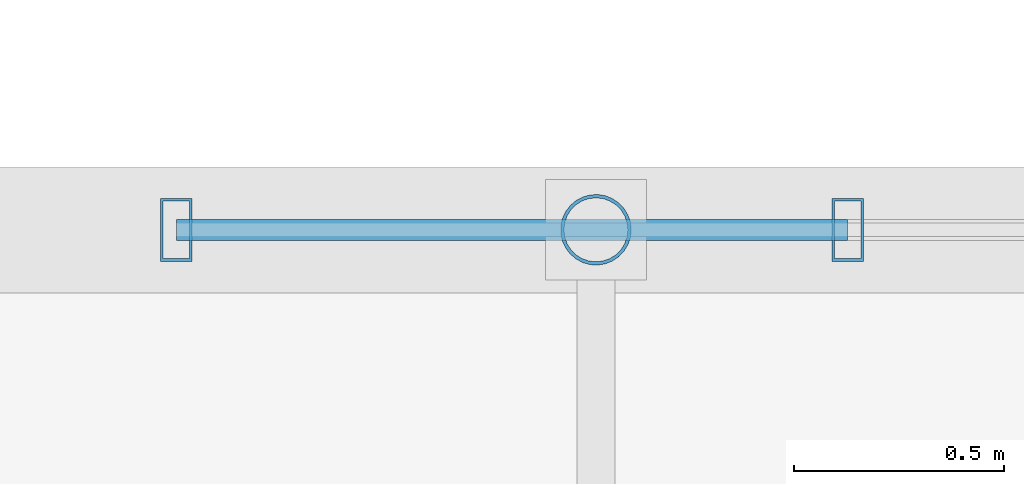
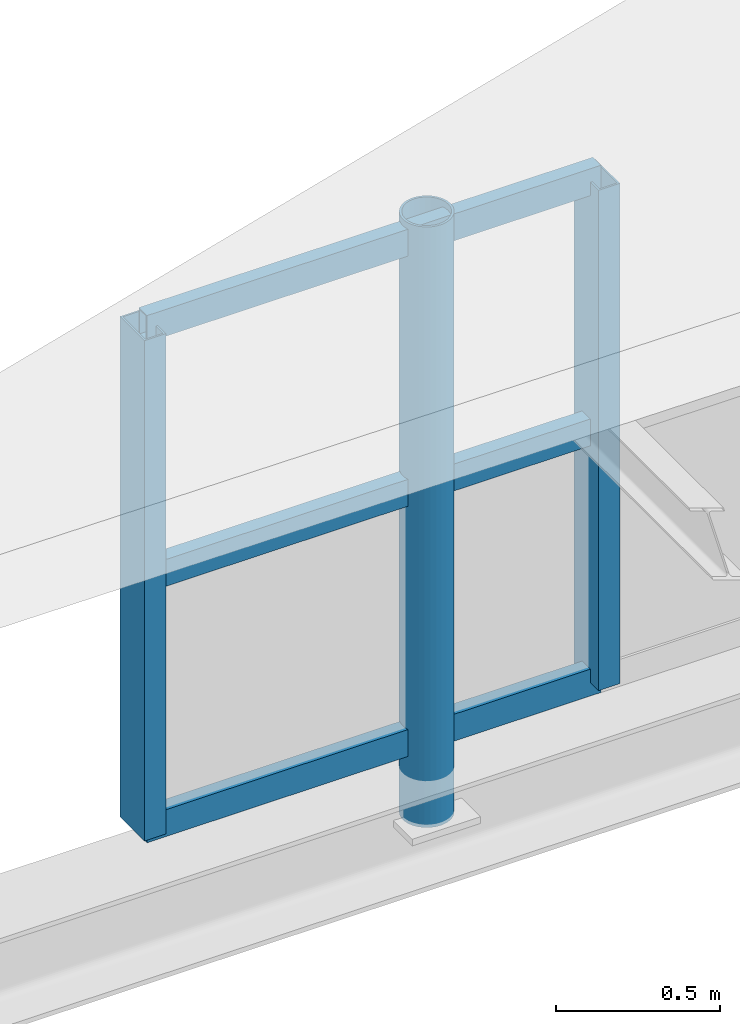
# One storey, part 26 of 49: 6 members, 1 element without a shape of its own.
"""IFC4 building model written with IfcOpenShell, lengths in metres."""

from ifc_helpers import new_model, si_unit, direction, frame, origin, origin_2d, place, context, subcontext, project, spatial, hollow_rectangle, hollow_circle, extrude, material, material_profile, profile_set, type_object, element, aggregate, save


model = new_model("IFC4")

# Units and contexts
model_context = context("Model", 3, precision=1e-05, world=origin(), true_north=direction((0.0, 1.0)))
body_context = subcontext(model_context, "Body", "Model", "MODEL_VIEW")
ifc_project = project(units=[si_unit("LENGTHUNIT", "METRE"), si_unit("AREAUNIT", "SQUARE_METRE"), si_unit("VOLUMEUNIT", "CUBIC_METRE"), si_unit("PLANEANGLEUNIT", "RADIAN"), si_unit("MASSUNIT", "GRAM", prefix="KILO")], contexts=[model_context])

# Site, building, storey
site_placement = place(None, origin())
site = spatial("IfcSite", under=ifc_project, at=site_placement, CompositionType="ELEMENT")
building_placement = place(site_placement, origin())
building = spatial("IfcBuilding", under=site, at=building_placement, Name="Sundkrona Museum", CompositionType="ELEMENT")
storey_placement = place(building_placement, frame((0.0, 0.0, 26.0)))
storey = spatial("IfcBuildingStorey", under=building, at=storey_placement, Name="L05", CompositionType="ELEMENT", Elevation=26.0)

# Curtain wall, members
ifc_material_1 = material(Name="Unitised Aluminium-Steel and Ceramic-Clad Curtain Walling", Category="steel")
curtain_wall_type = type_object("IfcCurtainWallType", Name="CW-SW-240x13", PredefinedType="NOTDEFINED", material=ifc_material_1)
curtain_wall_placement = place(storey_placement, origin())
curtain_wall = element("IfcCurtainWall", 1, at=curtain_wall_placement, inside=storey, type_object=curtain_wall_type, Name="Atrium N Glazed Gable Tympanum 2", PredefinedType="NOTDEFINED")
ifc_material_2 = material(Name="Aluminium EN AW-6060 T66", Category="aluminium")
ifc_material_profile_1 = material_profile(ifc_material_2, hollow_rectangle(XDim=0.074951171875, YDim=0.14990234375, WallThickness=0.00634765625, at=origin_2d()), Name="RHS 150x75x6.3")
ifc_profile_set_1 = profile_set([ifc_material_profile_1], Name="Aluminium EN AW-6060 T66")
member_type_1 = type_object("IfcMemberType", Name="ML-150", PredefinedType="MULLION", material=ifc_profile_set_1)
member_1_placement = place(storey_placement, frame((87.0, 40.0, -0.10009765625), z_axis=(0.0, 0.0, 1.0), x_axis=(1.0, 0.0, 0.0)))
member_1 = element("IfcMember", 2, at=member_1_placement, type_object=member_type_1, Name="CW-ATR-GBL-N2 Mullion 01", PredefinedType="MULLION", context=body_context, shape_type="SweptSolid", body=[
    extrude(hollow_rectangle(XDim=0.074951171875, YDim=0.14990234375, WallThickness=0.00634765625, at=origin_2d()), origin(), (0.0, 0.0, 1.0), 1.864013671875),
])
member_2_placement = place(storey_placement, frame((88.60009765625, 40.0, -0.10009765625), z_axis=(0.0, 0.0, 1.0), x_axis=(1.0, 0.0, 0.0)))
member_2 = element("IfcMember", 3, at=member_2_placement, type_object=member_type_1, Name="CW-ATR-GBL-N2 Mullion 02", PredefinedType="MULLION", context=body_context, shape_type="SweptSolid", body=[
    extrude(hollow_rectangle(XDim=0.074951171875, YDim=0.14990234375, WallThickness=0.00634765625, at=origin_2d()), origin(), (0.0, 0.0, 1.0), 1.864013671875),
])

# Member
ifc_material_3 = material(Name="Steel S355J2", Category="steel")
ifc_material_profile_2 = material_profile(ifc_material_3, hollow_circle(Radius=0.084228515625, WallThickness=0.008056640625, at=origin_2d()), Name="CHS 168.3x8.0")
ifc_profile_set_2 = profile_set([ifc_material_profile_2], Name="Steel S355J2")
member_type_2 = type_object("IfcMemberType", Name="ST-CHS168", PredefinedType="STRUT", material=ifc_profile_set_2)
member_3_placement = place(storey_placement, frame((88.0, 40.0, -0.39990234375), z_axis=(0.0, 0.0, 1.0), x_axis=(1.0, 0.0, 0.0)))
element("IfcMember", 4, at=member_3_placement, inside=storey, type_object=member_type_2, Name="RFS-1 Atrium Truss 6 Web Strut 88", PredefinedType="STRUT", context=body_context, shape_type="SweptSolid", body=[
    extrude(hollow_circle(Radius=0.084228515625, WallThickness=0.008056640625, at=origin_2d()), origin(), (0.0, 0.0, 1.0), 2.237548828125),
])

ifc_material_profile_3 = material_profile(ifc_material_2, hollow_rectangle(XDim=0.050048828125, YDim=0.10009765625, WallThickness=0.0048828125, at=origin_2d()), Name="RHS 100x50x5.0")
ifc_profile_set_3 = profile_set([ifc_material_profile_3], Name="Aluminium EN AW-6060 T66")
member_type_3 = type_object("IfcMemberType", Name="TR-100", PredefinedType="USERDEFINED", material=ifc_profile_set_3)
member_4_placement = place(storey_placement, frame((87.0, 40.0, -0.10009765625), z_axis=(1.0, 0.0, 0.0), x_axis=(0.0, 1.0, 0.0)))
member_4 = element("IfcMember", 5, at=member_4_placement, type_object=member_type_3, Name="CW-ATR-GBL-N2 Transom 01", ObjectType="TRANSOM", PredefinedType="USERDEFINED", context=body_context, shape_type="SweptSolid", body=[
    extrude(hollow_rectangle(XDim=0.050048828125, YDim=0.10009765625, WallThickness=0.0048828125, at=origin_2d()), origin(), (0.0, 0.0, 1.0), 1.60009765625),
])

member_5_placement = place(storey_placement, frame((87.0, 40.0, 0.83203125), z_axis=(1.0, 0.0, 0.0), x_axis=(0.0, 1.0, 0.0)))
member_5 = element("IfcMember", 6, at=member_5_placement, type_object=member_type_3, Name="CW-ATR-GBL-N2 Transom 02", ObjectType="TRANSOM", PredefinedType="USERDEFINED", context=body_context, shape_type="SweptSolid", body=[
    extrude(hollow_rectangle(XDim=0.050048828125, YDim=0.10009765625, WallThickness=0.0048828125, at=origin_2d()), origin(), (0.0, 0.0, 1.0), 1.60009765625),
])

member_6_placement = place(storey_placement, frame((87.0, 40.0, 1.763916015625), z_axis=(1.0, 0.0, 0.0), x_axis=(0.0, 1.0, 0.0)))
member_6 = element("IfcMember", 7, at=member_6_placement, type_object=member_type_3, Name="CW-ATR-GBL-N2 Transom 03", ObjectType="TRANSOM", PredefinedType="USERDEFINED", context=body_context, shape_type="SweptSolid", body=[
    extrude(hollow_rectangle(XDim=0.050048828125, YDim=0.10009765625, WallThickness=0.0048828125, at=origin_2d()), origin(), (0.0, 0.0, 1.0), 1.60009765625),
])

aggregate(curtain_wall, [member_1, member_2, member_4, member_5, member_6])

save(model, "model.ifc")
